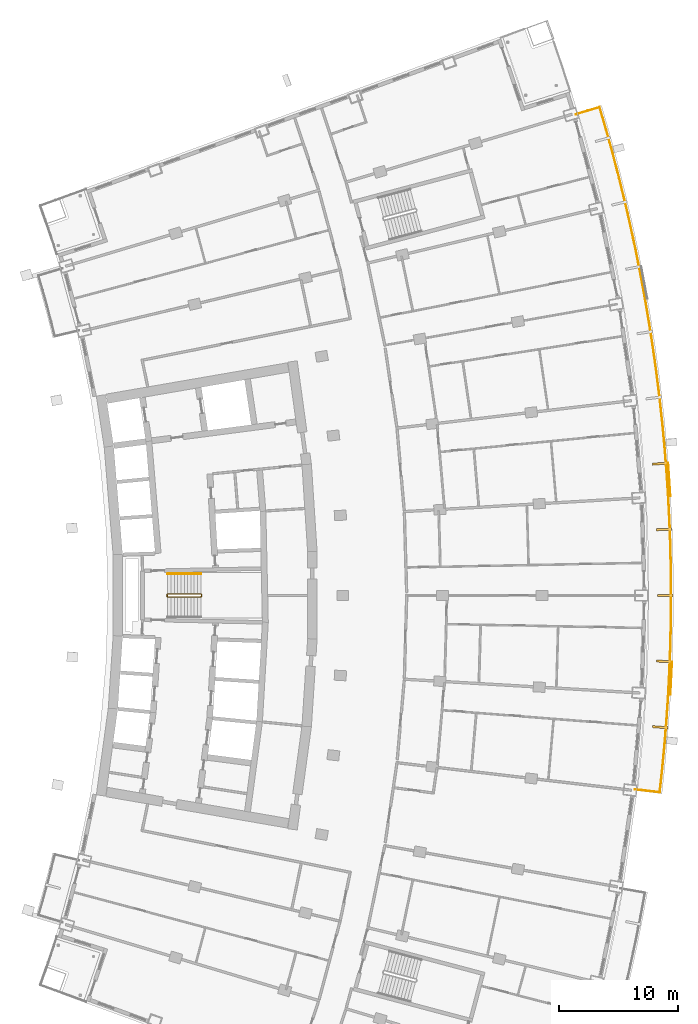
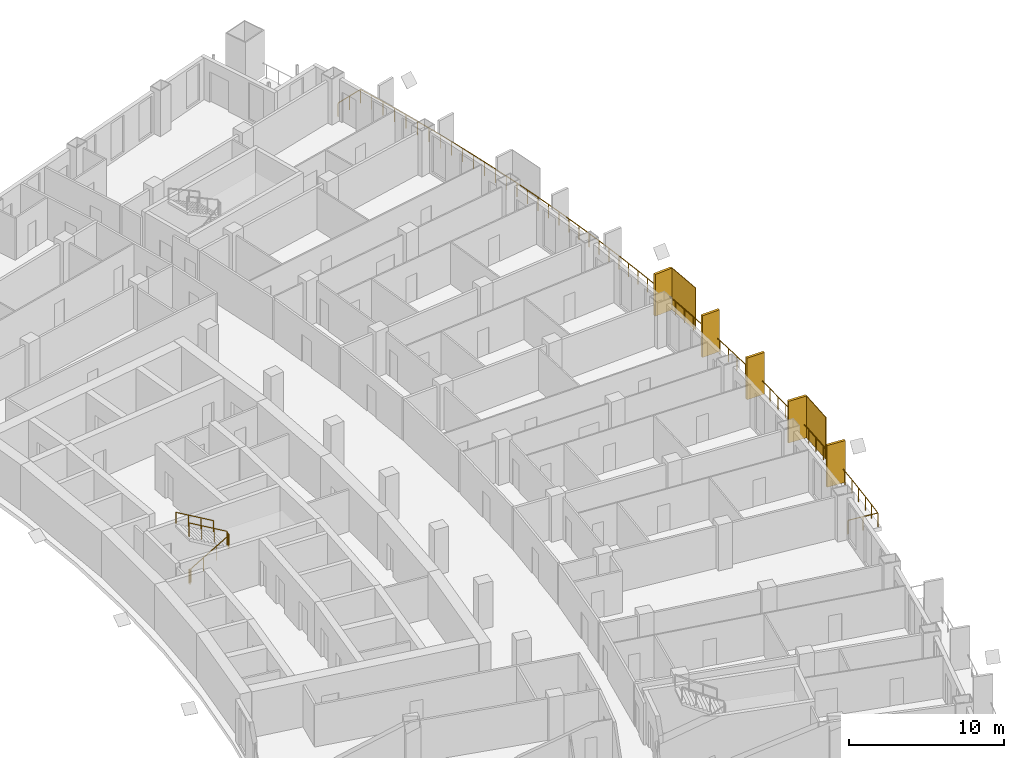
# One storey, part 24 of 25: 7 shading devices, 3 railings.
"""IFC4 building model written with IfcOpenShell, lengths in metres."""

from ifc_helpers import new_model, si_unit, direction, frame, origin, origin_2d, place, context, subcontext, project, spatial, rectangle, extrude, material, layer, layer_set, type_object, element, save


model = new_model("IFC4")

# Units and contexts
model_context = context("Model", 3, precision=1e-05, world=origin(), true_north=direction((0.0, 1.0)))
body_context = subcontext(model_context, "Body", "Model", "MODEL_VIEW")
ifc_project = project(units=[si_unit("LENGTHUNIT", "METRE"), si_unit("AREAUNIT", "SQUARE_METRE"), si_unit("VOLUMEUNIT", "CUBIC_METRE"), si_unit("PLANEANGLEUNIT", "RADIAN"), si_unit("MASSUNIT", "GRAM", prefix="KILO")], contexts=[model_context])

# Site, building, storey
site_placement = place(None, origin())
site = spatial("IfcSite", under=ifc_project, at=site_placement, CompositionType="ELEMENT")
building_placement = place(site_placement, origin())
building = spatial("IfcBuilding", under=site, at=building_placement, Name="Alderwake Tower", CompositionType="ELEMENT")
storey_placement = place(building_placement, frame((0.0, 0.0, 111.199951171875)))
storey = spatial("IfcBuildingStorey", under=building, at=storey_placement, Name="L27", CompositionType="ELEMENT", Elevation=111.199951171875)

# Railing
ifc_material_1 = material(Name="Stainless steel 316 rail and posts", Category="steel")
railing_type_1 = type_object("IfcRailingType", Name="Balcony guard 1100", PredefinedType="GUARDRAIL", material=ifc_material_1)
railing_1_placement = place(storey_placement, frame((60.4501953125, 44.638671875, 0.0)))
element("IfcRailing", 1, at=railing_1_placement, inside=storey, type_object=railing_type_1, Name="Guard BF05", PredefinedType="GUARDRAIL", context=body_context, shape_type="SweptSolid", body=[
    extrude(rectangle(XDim=0.048095703125, YDim=0.048095703125, at=origin_2d()), frame((0.0, 0.0, 1.076171875), z_axis=(0.993273839517, -0.115788944775, 0.0), x_axis=(0.115788944775, 0.993273839517, 0.0)), (0.0, 0.0, 1.0), 2.10009765625),
    extrude(rectangle(XDim=0.048095703125, YDim=0.048095703125, at=origin_2d()), frame((2.0859375, -0.2431640625, 1.076171875), z_axis=(0.108790906311, 0.994064655193, 0.0), x_axis=(-0.994064655193, 0.108790906311, 0.0)), (0.0, 0.0, 1.0), 1.99267578125),
    extrude(rectangle(XDim=0.048095703125, YDim=0.048095703125, at=origin_2d()), frame((2.302734375, 1.73779296875, 1.076171875), z_axis=(0.094616394776, 0.995513805951, 0.0), x_axis=(-0.995513805951, 0.094616394776, 0.0)), (0.0, 0.0, 1.0), 2.092529296875),
    extrude(rectangle(XDim=0.048095703125, YDim=0.048095703125, at=origin_2d()), frame((2.500732421875, 3.821044921875, 1.076171875), z_axis=(0.080148626966, 0.996782924009, 0.0), x_axis=(-0.996782924009, 0.080148626966, 0.0)), (0.0, 0.0, 1.0), 2.0927734375),
    extrude(rectangle(XDim=0.048095703125, YDim=0.048095703125, at=origin_2d()), frame((2.66845703125, 5.906982421875, 1.076171875), z_axis=(0.06556654831, 0.997848198747, 0.0), x_axis=(-0.997848198747, 0.06556654831, 0.0)), (0.0, 0.0, 1.0), 2.092529296875),
    extrude(rectangle(XDim=0.048095703125, YDim=0.048095703125, at=origin_2d()), frame((2.8056640625, 7.9951171875, 1.076171875), z_axis=(0.051095418046, 0.998693776017, 0.0), x_axis=(-0.998693776017, 0.051095418046, 0.0)), (0.0, 0.0, 1.0), 2.0927734375),
    extrude(rectangle(XDim=0.048095703125, YDim=0.048095703125, at=origin_2d()), frame((2.91259765625, 10.085205078125, 1.076171875), z_axis=(0.036398931808, 0.999337339322, 0.0), x_axis=(-0.999337339322, 0.036398931808, 0.0)), (0.0, 0.0, 1.0), 2.0927734375),
    extrude(rectangle(XDim=0.048095703125, YDim=0.048095703125, at=origin_2d()), frame((2.98876953125, 12.176513671875, 1.076171875), z_axis=(0.021815110635, 0.999762022157, 0.0), x_axis=(-0.999762022157, 0.021815110635, 0.0)), (0.0, 0.0, 1.0), 2.0927734375),
    extrude(rectangle(XDim=0.048095703125, YDim=0.048095703125, at=origin_2d()), frame((3.034423828125, 14.268798828125, 1.076171875), z_axis=(0.007350168964, 0.999972987143, 0.0), x_axis=(-0.999972987143, 0.007350168964, 0.0)), (0.0, 0.0, 1.0), 2.092529296875),
    extrude(rectangle(XDim=0.048095703125, YDim=0.048095703125, at=origin_2d()), frame((3.0498046875, 16.361328125, 1.076171875), z_axis=(-0.007350168964, 0.999972987143, 0.0), x_axis=(-0.999972987143, -0.007350168964, 0.0)), (0.0, 0.0, 1.0), 2.092529296875),
    extrude(rectangle(XDim=0.048095703125, YDim=0.048095703125, at=origin_2d()), frame((3.034423828125, 18.453857421875, 1.076171875), z_axis=(-0.021815110635, 0.999762022157, 0.0), x_axis=(-0.999762022157, -0.021815110635, 0.0)), (0.0, 0.0, 1.0), 2.0927734375),
    extrude(rectangle(XDim=0.048095703125, YDim=0.048095703125, at=origin_2d()), frame((2.98876953125, 20.546142578125, 1.076171875), z_axis=(-0.036398931808, 0.999337339322, 0.0), x_axis=(-0.999337339322, -0.036398931808, 0.0)), (0.0, 0.0, 1.0), 2.0927734375),
    extrude(rectangle(XDim=0.048095703125, YDim=0.048095703125, at=origin_2d()), frame((2.91259765625, 22.637451171875, 1.076171875), z_axis=(-0.051095418046, 0.998693776017, 0.0), x_axis=(-0.998693776017, -0.051095418046, 0.0)), (0.0, 0.0, 1.0), 2.0927734375),
    extrude(rectangle(XDim=0.048095703125, YDim=0.048095703125, at=origin_2d()), frame((2.8056640625, 24.7275390625, 1.076171875), z_axis=(-0.06556654831, 0.997848198747, 0.0), x_axis=(-0.997848198747, -0.06556654831, 0.0)), (0.0, 0.0, 1.0), 2.092529296875),
    extrude(rectangle(XDim=0.048095703125, YDim=0.048095703125, at=origin_2d()), frame((2.66845703125, 26.815673828125, 1.076171875), z_axis=(-0.080148626966, 0.996782924009, 0.0), x_axis=(-0.996782924009, -0.080148626966, 0.0)), (0.0, 0.0, 1.0), 2.0927734375),
    extrude(rectangle(XDim=0.048095703125, YDim=0.048095703125, at=origin_2d()), frame((2.500732421875, 28.901611328125, 1.076171875), z_axis=(-0.094616394776, 0.995513805951, 0.0), x_axis=(-0.995513805951, -0.094616394776, 0.0)), (0.0, 0.0, 1.0), 2.092529296875),
    extrude(rectangle(XDim=0.048095703125, YDim=0.048095703125, at=origin_2d()), frame((2.302734375, 30.98486328125, 1.076171875), z_axis=(-0.109202149119, 0.994019562497, 0.0), x_axis=(-0.994019562497, -0.109202149119, 0.0)), (0.0, 0.0, 1.0), 2.092529296875),
    extrude(rectangle(XDim=0.048095703125, YDim=0.048095703125, at=origin_2d()), frame((2.07421875, 33.06494140625, 1.076171875), z_axis=(-0.123546528168, 0.992338780547, 0.0), x_axis=(-0.992338780547, -0.123546528168, 0.0)), (0.0, 0.0, 1.0), 2.0927734375),
    extrude(rectangle(XDim=0.048095703125, YDim=0.048095703125, at=origin_2d()), frame((1.815673828125, 35.1416015625, 1.076171875), z_axis=(-0.138121519768, 0.990415289551, 0.0), x_axis=(-0.990415289551, -0.138121519768, 0.0)), (0.0, 0.0, 1.0), 2.0927734375),
    extrude(rectangle(XDim=0.048095703125, YDim=0.048095703125, at=origin_2d()), frame((1.526611328125, 37.21435546875, 1.076171875), z_axis=(-0.15248675564, 0.988305514178, 0.0), x_axis=(-0.988305514178, -0.15248675564, 0.0)), (0.0, 0.0, 1.0), 2.092529296875),
    extrude(rectangle(XDim=0.048095703125, YDim=0.048095703125, at=origin_2d()), frame((1.20751953125, 39.282470703125, 1.076171875), z_axis=(-0.166933326396, 0.985968186372, 0.0), x_axis=(-0.985968186372, -0.166933326396, 0.0)), (0.0, 0.0, 1.0), 2.0927734375),
    extrude(rectangle(XDim=0.048095703125, YDim=0.048095703125, at=origin_2d()), frame((0.858154296875, 41.345947265625, 1.076171875), z_axis=(-0.18130793509, 0.983426373794, 0.0), x_axis=(-0.983426373794, -0.18130793509, 0.0)), (0.0, 0.0, 1.0), 2.092529296875),
    extrude(rectangle(XDim=0.048095703125, YDim=0.048095703125, at=origin_2d()), frame((0.478759765625, 43.40380859375, 1.076171875), z_axis=(-0.195644970766, 0.980674790853, 0.0), x_axis=(-0.980674790853, -0.195644970766, 0.0)), (0.0, 0.0, 1.0), 2.0927734375),
    extrude(rectangle(XDim=0.048095703125, YDim=0.048095703125, at=origin_2d()), frame((0.0693359375, 45.4560546875, 1.076171875), z_axis=(-0.209871658439, 0.977728943513, 0.0), x_axis=(-0.977728943513, -0.209871658439, 0.0)), (0.0, 0.0, 1.0), 2.0927734375),
    extrude(rectangle(XDim=0.048095703125, YDim=0.048095703125, at=origin_2d()), frame((-0.369873046875, 47.502197265625, 1.076171875), z_axis=(-0.224101157754, 0.974565888534, 0.0), x_axis=(-0.974565888534, -0.224101157754, 0.0)), (0.0, 0.0, 1.0), 2.0927734375),
    extrude(rectangle(XDim=0.048095703125, YDim=0.048095703125, at=origin_2d()), frame((-0.8388671875, 49.541748046875, 1.076171875), z_axis=(-0.238360646186, 0.971176710156, 0.0), x_axis=(-0.971176710156, -0.238360646186, 0.0)), (0.0, 0.0, 1.0), 2.092529296875),
    extrude(rectangle(XDim=0.048095703125, YDim=0.048095703125, at=origin_2d()), frame((-1.337646484375, 51.573974609375, 1.076171875), z_axis=(-0.252459890033, 0.967607360413, 0.0), x_axis=(-0.967607360413, -0.252459890033, 0.0)), (0.0, 0.0, 1.0), 2.0927734375),
    extrude(rectangle(XDim=0.048095703125, YDim=0.048095703125, at=origin_2d()), frame((-1.865966796875, 53.598876953125, 1.076171875), z_axis=(-0.266452319336, 0.963848100854, 0.0), x_axis=(-0.963848100854, -0.266452319336, 0.0)), (0.0, 0.0, 1.0), 2.0927734375),
    extrude(rectangle(XDim=0.048095703125, YDim=0.048095703125, at=origin_2d()), frame((-2.423583984375, 55.615966796875, 1.076171875), z_axis=(-0.28031519248, 0.95990801271, 0.0), x_axis=(-0.95990801271, -0.28031519248, 0.0)), (0.0, 0.0, 1.0), 1.99267578125),
    extrude(rectangle(XDim=0.048095703125, YDim=0.048095703125, at=origin_2d()), frame((-2.982177734375, 57.52880859375, 1.076171875), z_axis=(-0.957954179098, -0.286921227429, 0.0), x_axis=(0.286921227429, -0.957954179098, 0.0)), (0.0, 0.0, 1.0), 2.10009765625),
    extrude(rectangle(XDim=0.0419921875, YDim=0.0419921875, at=origin_2d()), frame((0.0, 0.0, 0.0), z_axis=(0.0, 0.0, 1.0), x_axis=(0.993273839517, -0.115788944775, 0.0)), (0.0, 0.0, 1.0), 1.052001953125),
    extrude(rectangle(XDim=0.0419921875, YDim=0.0419921875, at=origin_2d()), frame((1.04296875, -0.12158203125, 0.0), z_axis=(0.0, 0.0, 1.0), x_axis=(0.993273839517, -0.115788944775, 0.0)), (0.0, 0.0, 1.0), 1.052001953125),
    extrude(rectangle(XDim=0.0419921875, YDim=0.0419921875, at=origin_2d()), frame((2.0859375, -0.2431640625, 0.0), z_axis=(0.0, 0.0, 1.0), x_axis=(0.108790906311, 0.994064655193, 0.0)), (0.0, 0.0, 1.0), 1.052001953125),
    extrude(rectangle(XDim=0.0419921875, YDim=0.0419921875, at=origin_2d()), frame((2.1943359375, 0.747314453125, 0.0), z_axis=(0.0, 0.0, 1.0), x_axis=(0.108790906311, 0.994064655193, 0.0)), (0.0, 0.0, 1.0), 1.052001953125),
    extrude(rectangle(XDim=0.0419921875, YDim=0.0419921875, at=origin_2d()), frame((2.302734375, 1.73779296875, 0.0), z_axis=(0.0, 0.0, 1.0), x_axis=(0.094616394776, 0.995513805951, 0.0)), (0.0, 0.0, 1.0), 1.052001953125),
    extrude(rectangle(XDim=0.0419921875, YDim=0.0419921875, at=origin_2d()), frame((2.40185546875, 2.779296875, 0.0), z_axis=(0.0, 0.0, 1.0), x_axis=(0.094616394776, 0.995513805951, 0.0)), (0.0, 0.0, 1.0), 1.052001953125),
    extrude(rectangle(XDim=0.0419921875, YDim=0.0419921875, at=origin_2d()), frame((2.500732421875, 3.821044921875, 0.0), z_axis=(0.0, 0.0, 1.0), x_axis=(0.080148626966, 0.996782924009, 0.0)), (0.0, 0.0, 1.0), 1.052001953125),
    extrude(rectangle(XDim=0.0419921875, YDim=0.0419921875, at=origin_2d()), frame((2.58447265625, 4.864013671875, 0.0), z_axis=(0.0, 0.0, 1.0), x_axis=(0.080148626966, 0.996782924009, 0.0)), (0.0, 0.0, 1.0), 1.052001953125),
    extrude(rectangle(XDim=0.0419921875, YDim=0.0419921875, at=origin_2d()), frame((2.66845703125, 5.906982421875, 0.0), z_axis=(0.0, 0.0, 1.0), x_axis=(0.06556654831, 0.997848198747, 0.0)), (0.0, 0.0, 1.0), 1.052001953125),
    extrude(rectangle(XDim=0.0419921875, YDim=0.0419921875, at=origin_2d()), frame((2.737060546875, 6.951171875, 0.0), z_axis=(0.0, 0.0, 1.0), x_axis=(0.06556654831, 0.997848198747, 0.0)), (0.0, 0.0, 1.0), 1.052001953125),
    extrude(rectangle(XDim=0.0419921875, YDim=0.0419921875, at=origin_2d()), frame((2.8056640625, 7.9951171875, 0.0), z_axis=(0.0, 0.0, 1.0), x_axis=(0.051095418046, 0.998693776017, 0.0)), (0.0, 0.0, 1.0), 1.052001953125),
    extrude(rectangle(XDim=0.0419921875, YDim=0.0419921875, at=origin_2d()), frame((2.859130859375, 9.0400390625, 0.0), z_axis=(0.0, 0.0, 1.0), x_axis=(0.051095418046, 0.998693776017, 0.0)), (0.0, 0.0, 1.0), 1.052001953125),
    extrude(rectangle(XDim=0.0419921875, YDim=0.0419921875, at=origin_2d()), frame((2.91259765625, 10.085205078125, 0.0), z_axis=(0.0, 0.0, 1.0), x_axis=(0.036398931808, 0.999337339322, 0.0)), (0.0, 0.0, 1.0), 1.052001953125),
    extrude(rectangle(XDim=0.0419921875, YDim=0.0419921875, at=origin_2d()), frame((2.95068359375, 11.130859375, 0.0), z_axis=(0.0, 0.0, 1.0), x_axis=(0.036398931808, 0.999337339322, 0.0)), (0.0, 0.0, 1.0), 1.052001953125),
    extrude(rectangle(XDim=0.0419921875, YDim=0.0419921875, at=origin_2d()), frame((2.98876953125, 12.176513671875, 0.0), z_axis=(0.0, 0.0, 1.0), x_axis=(0.021815110635, 0.999762022157, 0.0)), (0.0, 0.0, 1.0), 1.052001953125),
    extrude(rectangle(XDim=0.0419921875, YDim=0.0419921875, at=origin_2d()), frame((3.01171875, 13.22265625, 0.0), z_axis=(0.0, 0.0, 1.0), x_axis=(0.021815110635, 0.999762022157, 0.0)), (0.0, 0.0, 1.0), 1.052001953125),
    extrude(rectangle(XDim=0.0419921875, YDim=0.0419921875, at=origin_2d()), frame((3.034423828125, 14.268798828125, 0.0), z_axis=(0.0, 0.0, 1.0), x_axis=(0.007350168964, 0.999972987143, 0.0)), (0.0, 0.0, 1.0), 1.052001953125),
    extrude(rectangle(XDim=0.0419921875, YDim=0.0419921875, at=origin_2d()), frame((3.0419921875, 15.31494140625, 0.0), z_axis=(0.0, 0.0, 1.0), x_axis=(0.007350168964, 0.999972987143, 0.0)), (0.0, 0.0, 1.0), 1.052001953125),
    extrude(rectangle(XDim=0.0419921875, YDim=0.0419921875, at=origin_2d()), frame((3.0498046875, 16.361328125, 0.0), z_axis=(0.0, 0.0, 1.0), x_axis=(-0.007350168964, 0.999972987143, 0.0)), (0.0, 0.0, 1.0), 1.052001953125),
    extrude(rectangle(XDim=0.0419921875, YDim=0.0419921875, at=origin_2d()), frame((3.0419921875, 17.40771484375, 0.0), z_axis=(0.0, 0.0, 1.0), x_axis=(-0.007350168964, 0.999972987143, 0.0)), (0.0, 0.0, 1.0), 1.052001953125),
    extrude(rectangle(XDim=0.0419921875, YDim=0.0419921875, at=origin_2d()), frame((3.034423828125, 18.453857421875, 0.0), z_axis=(0.0, 0.0, 1.0), x_axis=(-0.021815110635, 0.999762022157, 0.0)), (0.0, 0.0, 1.0), 1.052001953125),
    extrude(rectangle(XDim=0.0419921875, YDim=0.0419921875, at=origin_2d()), frame((3.01171875, 19.5, 0.0), z_axis=(0.0, 0.0, 1.0), x_axis=(-0.021815110635, 0.999762022157, 0.0)), (0.0, 0.0, 1.0), 1.052001953125),
    extrude(rectangle(XDim=0.0419921875, YDim=0.0419921875, at=origin_2d()), frame((2.98876953125, 20.546142578125, 0.0), z_axis=(0.0, 0.0, 1.0), x_axis=(-0.036398931808, 0.999337339322, 0.0)), (0.0, 0.0, 1.0), 1.052001953125),
    extrude(rectangle(XDim=0.0419921875, YDim=0.0419921875, at=origin_2d()), frame((2.95068359375, 21.591796875, 0.0), z_axis=(0.0, 0.0, 1.0), x_axis=(-0.036398931808, 0.999337339322, 0.0)), (0.0, 0.0, 1.0), 1.052001953125),
    extrude(rectangle(XDim=0.0419921875, YDim=0.0419921875, at=origin_2d()), frame((2.91259765625, 22.637451171875, 0.0), z_axis=(0.0, 0.0, 1.0), x_axis=(-0.051095418046, 0.998693776017, 0.0)), (0.0, 0.0, 1.0), 1.052001953125),
    extrude(rectangle(XDim=0.0419921875, YDim=0.0419921875, at=origin_2d()), frame((2.859130859375, 23.6826171875, 0.0), z_axis=(0.0, 0.0, 1.0), x_axis=(-0.051095418046, 0.998693776017, 0.0)), (0.0, 0.0, 1.0), 1.052001953125),
    extrude(rectangle(XDim=0.0419921875, YDim=0.0419921875, at=origin_2d()), frame((2.8056640625, 24.7275390625, 0.0), z_axis=(0.0, 0.0, 1.0), x_axis=(-0.06556654831, 0.997848198747, 0.0)), (0.0, 0.0, 1.0), 1.052001953125),
    extrude(rectangle(XDim=0.0419921875, YDim=0.0419921875, at=origin_2d()), frame((2.737060546875, 25.771484375, 0.0), z_axis=(0.0, 0.0, 1.0), x_axis=(-0.06556654831, 0.997848198747, 0.0)), (0.0, 0.0, 1.0), 1.052001953125),
    extrude(rectangle(XDim=0.0419921875, YDim=0.0419921875, at=origin_2d()), frame((2.66845703125, 26.815673828125, 0.0), z_axis=(0.0, 0.0, 1.0), x_axis=(-0.080148626966, 0.996782924009, 0.0)), (0.0, 0.0, 1.0), 1.052001953125),
    extrude(rectangle(XDim=0.0419921875, YDim=0.0419921875, at=origin_2d()), frame((2.58447265625, 27.858642578125, 0.0), z_axis=(0.0, 0.0, 1.0), x_axis=(-0.080148626966, 0.996782924009, 0.0)), (0.0, 0.0, 1.0), 1.052001953125),
    extrude(rectangle(XDim=0.0419921875, YDim=0.0419921875, at=origin_2d()), frame((2.500732421875, 28.901611328125, 0.0), z_axis=(0.0, 0.0, 1.0), x_axis=(-0.094616394776, 0.995513805951, 0.0)), (0.0, 0.0, 1.0), 1.052001953125),
    extrude(rectangle(XDim=0.0419921875, YDim=0.0419921875, at=origin_2d()), frame((2.40185546875, 29.943359375, 0.0), z_axis=(0.0, 0.0, 1.0), x_axis=(-0.094616394776, 0.995513805951, 0.0)), (0.0, 0.0, 1.0), 1.052001953125),
    extrude(rectangle(XDim=0.0419921875, YDim=0.0419921875, at=origin_2d()), frame((2.302734375, 30.98486328125, 0.0), z_axis=(0.0, 0.0, 1.0), x_axis=(-0.109202149119, 0.994019562497, 0.0)), (0.0, 0.0, 1.0), 1.052001953125),
    extrude(rectangle(XDim=0.0419921875, YDim=0.0419921875, at=origin_2d()), frame((2.1884765625, 32.02490234375, 0.0), z_axis=(0.0, 0.0, 1.0), x_axis=(-0.109202149119, 0.994019562497, 0.0)), (0.0, 0.0, 1.0), 1.052001953125),
    extrude(rectangle(XDim=0.0419921875, YDim=0.0419921875, at=origin_2d()), frame((2.07421875, 33.06494140625, 0.0), z_axis=(0.0, 0.0, 1.0), x_axis=(-0.123546528168, 0.992338780547, 0.0)), (0.0, 0.0, 1.0), 1.052001953125),
    extrude(rectangle(XDim=0.0419921875, YDim=0.0419921875, at=origin_2d()), frame((1.94482421875, 34.103271484375, 0.0), z_axis=(0.0, 0.0, 1.0), x_axis=(-0.123546528168, 0.992338780547, 0.0)), (0.0, 0.0, 1.0), 1.052001953125),
    extrude(rectangle(XDim=0.0419921875, YDim=0.0419921875, at=origin_2d()), frame((1.815673828125, 35.1416015625, 0.0), z_axis=(0.0, 0.0, 1.0), x_axis=(-0.138121519768, 0.990415289551, 0.0)), (0.0, 0.0, 1.0), 1.052001953125),
    extrude(rectangle(XDim=0.0419921875, YDim=0.0419921875, at=origin_2d()), frame((1.671142578125, 36.177978515625, 0.0), z_axis=(0.0, 0.0, 1.0), x_axis=(-0.138121519768, 0.990415289551, 0.0)), (0.0, 0.0, 1.0), 1.052001953125),
    extrude(rectangle(XDim=0.0419921875, YDim=0.0419921875, at=origin_2d()), frame((1.526611328125, 37.21435546875, 0.0), z_axis=(0.0, 0.0, 1.0), x_axis=(-0.15248675564, 0.988305514178, 0.0)), (0.0, 0.0, 1.0), 1.052001953125),
    extrude(rectangle(XDim=0.0419921875, YDim=0.0419921875, at=origin_2d()), frame((1.3671875, 38.24853515625, 0.0), z_axis=(0.0, 0.0, 1.0), x_axis=(-0.15248675564, 0.988305514178, 0.0)), (0.0, 0.0, 1.0), 1.052001953125),
    extrude(rectangle(XDim=0.0419921875, YDim=0.0419921875, at=origin_2d()), frame((1.20751953125, 39.282470703125, 0.0), z_axis=(0.0, 0.0, 1.0), x_axis=(-0.166933326396, 0.985968186372, 0.0)), (0.0, 0.0, 1.0), 1.052001953125),
    extrude(rectangle(XDim=0.0419921875, YDim=0.0419921875, at=origin_2d()), frame((1.03271484375, 40.314208984375, 0.0), z_axis=(0.0, 0.0, 1.0), x_axis=(-0.166933326396, 0.985968186372, 0.0)), (0.0, 0.0, 1.0), 1.052001953125),
    extrude(rectangle(XDim=0.0419921875, YDim=0.0419921875, at=origin_2d()), frame((0.858154296875, 41.345947265625, 0.0), z_axis=(0.0, 0.0, 1.0), x_axis=(-0.18130793509, 0.983426373794, 0.0)), (0.0, 0.0, 1.0), 1.052001953125),
    extrude(rectangle(XDim=0.0419921875, YDim=0.0419921875, at=origin_2d()), frame((0.66845703125, 42.375, 0.0), z_axis=(0.0, 0.0, 1.0), x_axis=(-0.18130793509, 0.983426373794, 0.0)), (0.0, 0.0, 1.0), 1.052001953125),
    extrude(rectangle(XDim=0.0419921875, YDim=0.0419921875, at=origin_2d()), frame((0.478759765625, 43.40380859375, 0.0), z_axis=(0.0, 0.0, 1.0), x_axis=(-0.195644970766, 0.980674790853, 0.0)), (0.0, 0.0, 1.0), 1.052001953125),
    extrude(rectangle(XDim=0.0419921875, YDim=0.0419921875, at=origin_2d()), frame((0.27392578125, 44.429931640625, 0.0), z_axis=(0.0, 0.0, 1.0), x_axis=(-0.195644970766, 0.980674790853, 0.0)), (0.0, 0.0, 1.0), 1.052001953125),
    extrude(rectangle(XDim=0.0419921875, YDim=0.0419921875, at=origin_2d()), frame((0.0693359375, 45.4560546875, 0.0), z_axis=(0.0, 0.0, 1.0), x_axis=(-0.209871658439, 0.977728943513, 0.0)), (0.0, 0.0, 1.0), 1.052001953125),
    extrude(rectangle(XDim=0.0419921875, YDim=0.0419921875, at=origin_2d()), frame((-0.150390625, 46.47900390625, 0.0), z_axis=(0.0, 0.0, 1.0), x_axis=(-0.209871658439, 0.977728943513, 0.0)), (0.0, 0.0, 1.0), 1.052001953125),
    extrude(rectangle(XDim=0.0419921875, YDim=0.0419921875, at=origin_2d()), frame((-0.369873046875, 47.502197265625, 0.0), z_axis=(0.0, 0.0, 1.0), x_axis=(-0.224101157754, 0.974565888534, 0.0)), (0.0, 0.0, 1.0), 1.052001953125),
    extrude(rectangle(XDim=0.0419921875, YDim=0.0419921875, at=origin_2d()), frame((-0.6044921875, 48.52197265625, 0.0), z_axis=(0.0, 0.0, 1.0), x_axis=(-0.224101157754, 0.974565888534, 0.0)), (0.0, 0.0, 1.0), 1.052001953125),
    extrude(rectangle(XDim=0.0419921875, YDim=0.0419921875, at=origin_2d()), frame((-0.8388671875, 49.541748046875, 0.0), z_axis=(0.0, 0.0, 1.0), x_axis=(-0.238360646186, 0.971176710156, 0.0)), (0.0, 0.0, 1.0), 1.052001953125),
    extrude(rectangle(XDim=0.0419921875, YDim=0.0419921875, at=origin_2d()), frame((-1.08837890625, 50.557861328125, 0.0), z_axis=(0.0, 0.0, 1.0), x_axis=(-0.238360646186, 0.971176710156, 0.0)), (0.0, 0.0, 1.0), 1.052001953125),
    extrude(rectangle(XDim=0.0419921875, YDim=0.0419921875, at=origin_2d()), frame((-1.337646484375, 51.573974609375, 0.0), z_axis=(0.0, 0.0, 1.0), x_axis=(-0.252459890033, 0.967607360413, 0.0)), (0.0, 0.0, 1.0), 1.052001953125),
    extrude(rectangle(XDim=0.0419921875, YDim=0.0419921875, at=origin_2d()), frame((-1.601806640625, 52.58642578125, 0.0), z_axis=(0.0, 0.0, 1.0), x_axis=(-0.252459890033, 0.967607360413, 0.0)), (0.0, 0.0, 1.0), 1.052001953125),
    extrude(rectangle(XDim=0.0419921875, YDim=0.0419921875, at=origin_2d()), frame((-1.865966796875, 53.598876953125, 0.0), z_axis=(0.0, 0.0, 1.0), x_axis=(-0.266452319336, 0.963848100854, 0.0)), (0.0, 0.0, 1.0), 1.052001953125),
    extrude(rectangle(XDim=0.0419921875, YDim=0.0419921875, at=origin_2d()), frame((-2.144775390625, 54.607421875, 0.0), z_axis=(0.0, 0.0, 1.0), x_axis=(-0.266452319336, 0.963848100854, 0.0)), (0.0, 0.0, 1.0), 1.052001953125),
    extrude(rectangle(XDim=0.0419921875, YDim=0.0419921875, at=origin_2d()), frame((-2.423583984375, 55.615966796875, 0.0), z_axis=(0.0, 0.0, 1.0), x_axis=(-0.28031519248, 0.95990801271, 0.0)), (0.0, 0.0, 1.0), 1.052001953125),
    extrude(rectangle(XDim=0.0419921875, YDim=0.0419921875, at=origin_2d()), frame((-2.702880859375, 56.572265625, 0.0), z_axis=(0.0, 0.0, 1.0), x_axis=(-0.28031519248, 0.95990801271, 0.0)), (0.0, 0.0, 1.0), 1.052001953125),
    extrude(rectangle(XDim=0.0419921875, YDim=0.0419921875, at=origin_2d()), frame((-2.982177734375, 57.52880859375, 0.0), z_axis=(0.0, 0.0, 1.0), x_axis=(-0.957954179098, -0.286921227429, 0.0)), (0.0, 0.0, 1.0), 1.052001953125),
    extrude(rectangle(XDim=0.0419921875, YDim=0.0419921875, at=origin_2d()), frame((-3.988037109375, 57.2275390625, 0.0), z_axis=(0.0, 0.0, 1.0), x_axis=(-0.957954179098, -0.286921227429, 0.0)), (0.0, 0.0, 1.0), 1.052001953125),
    extrude(rectangle(XDim=0.0419921875, YDim=0.0419921875, at=origin_2d()), frame((-4.993896484375, 56.92626953125, 0.0), z_axis=(0.0, 0.0, 1.0), x_axis=(-0.957954179098, -0.286921227429, 0.0)), (0.0, 0.0, 1.0), 1.052001953125),
])

# Shading devices
ifc_material_2 = material(Name="Bronze anodised aluminium", Category="aluminium")
ifc_layer_1 = layer(ifc_material_2, 0.179931640625)
ifc_layer_set_1 = layer_set([ifc_layer_1], Name="Facade fin 1300")
shading_device_type_1 = type_object("IfcShadingDeviceType", Name="Facade fin 1300", PredefinedType="USERDEFINED", material=ifc_layer_set_1)
for number, where, z_axis, x_axis, name in (
    (2, (62.5673828125, 49.8857421875, 0.0), (0.0, 0.0, 1.0), (0.996975122026, -0.077721335943, 0.0), "Fin"),
    (3, (62.891845703125, 55.438720703125, 0.0), (0.0, 0.0, 1.0), (0.999243494356, -0.038890088543, 0.0), "Fin"),
    (4, (63.0, 61.0, 0.0), (0.0, 0.0, 1.0), (1.0, 0.0, 0.0), "Fin"),
    (5, (62.891845703125, 66.561279296875, 0.0), (0.0, 0.0, 1.0), (0.999243494356, 0.038890088543, 0.0), "Fin"),
    (6, (62.5673828125, 72.1142578125, 0.0), (0.0, 0.0, 1.0), (0.996975122026, 0.077721335943, 0.0), "Fin"),
):
    element("IfcShadingDevice", number, at=place(storey_placement, frame(where, z_axis=z_axis, x_axis=x_axis)), inside=storey, type_object=shading_device_type_1, Name=name, ObjectType="FIN", PredefinedType="USERDEFINED", context=body_context, shape_type="SweptSolid", body=[
        extrude(rectangle(XDim=1.300048828125, YDim=0.179931640625, at=origin_2d()), origin(), (0.0, 0.0, 1.0), 3.280029296875),
    ])
ifc_material_3 = material(Name="Perforated bronze anodised aluminium", Category="aluminium")
ifc_layer_2 = layer(ifc_material_3, 0.050048828125)
ifc_layer_set_2 = layer_set([ifc_layer_2], Name="Perforated screen panel")
shading_device_type_2 = type_object("IfcShadingDeviceType", Name="Perforated screen panel", PredefinedType="USERDEFINED", material=ifc_layer_set_2)
shading_device_1_placement = place(storey_placement, frame((63.49853515625, 54.0205078125, 0.0), z_axis=(0.0, 0.0, 1.0), x_axis=(0.998819231138, -0.048581308217, 0.0)))
element("IfcShadingDevice", 7, at=shading_device_1_placement, inside=storey, type_object=shading_device_type_2, Name="Screen panel", ObjectType="SCREEN", PredefinedType="USERDEFINED", context=body_context, shape_type="SweptSolid", body=[
    extrude(rectangle(XDim=0.050048828125, YDim=2.787353515625, at=origin_2d()), origin(), (0.0, 0.0, 1.0), 3.280029296875),
])
shading_device_2_placement = place(storey_placement, frame((63.335693359375, 70.76904296875, 0.0), z_axis=(0.0, 0.0, 1.0), x_axis=(0.997685465774, 0.067997877779, 0.0)))
element("IfcShadingDevice", 8, at=shading_device_2_placement, inside=storey, type_object=shading_device_type_2, Name="Screen panel", ObjectType="SCREEN", PredefinedType="USERDEFINED", context=body_context, shape_type="SweptSolid", body=[
    extrude(rectangle(XDim=0.050048828125, YDim=2.801513671875, at=origin_2d()), origin(), (0.0, 0.0, 1.0), 3.280029296875),
])

# Railings
ifc_material_4 = material(Name="Stainless steel guard", Category="steel")
railing_type_2 = type_object("IfcRailingType", Name="Stair guard 1100", PredefinedType="GUARDRAIL", material=ifc_material_4)
railing_2_placement = place(storey_placement, frame((20.989990234375, 60.925048828125, 0.0)))
element("IfcRailing", 9, at=railing_2_placement, inside=storey, type_object=railing_type_2, Name="L27 ST-B stair guard 1", PredefinedType="GUARDRAIL", context=body_context, shape_type="SweptSolid", body=[
    extrude(rectangle(XDim=0.048095703125, YDim=0.048095703125, at=origin_2d()), frame((0.0, 0.0, 1.076171875), z_axis=(0.0, 1.0, 0.0), x_axis=(-1.0, 0.0, 0.0)), (0.0, 0.0, 1.0), 0.14990234375),
    extrude(rectangle(XDim=0.048095703125, YDim=0.048095703125, at=origin_2d()), frame((0.0, 0.14990234375, 1.076171875), z_axis=(0.190199549216, -0.759870394187, 0.621627795), x_axis=(0.970072785993, 0.242814311512, 0.0)), (0.0, 0.0, 1.0), 0.26318359375),
    extrude(rectangle(XDim=0.048095703125, YDim=0.048095703125, at=origin_2d()), frame((0.050048828125, -0.050048828125, 1.23974609375), z_axis=(0.863360870873, 0.0, 0.504586966384), x_axis=(0.0, 1.0, 0.0)), (0.0, 0.0, 1.0), 3.2431640625),
    extrude(rectangle(XDim=0.048095703125, YDim=0.048095703125, at=origin_2d()), frame((2.85009765625, -0.050048828125, 2.8759765625), z_axis=(0.705375805398, 0.708833529934, 0.0), x_axis=(-0.708833529934, 0.705375805398, 0.0)), (0.0, 0.0, 1.0), 0.070556640625),
    extrude(rectangle(XDim=0.048095703125, YDim=0.048095703125, at=origin_2d()), frame((2.89990234375, 0.0, 2.8759765625), z_axis=(0.0, 1.0, 0.0), x_axis=(-1.0, 0.0, 0.0)), (0.0, 0.0, 1.0), 0.14990234375),
    extrude(rectangle(XDim=0.048095703125, YDim=0.048095703125, at=origin_2d()), frame((2.89990234375, 0.14990234375, 2.8759765625), z_axis=(-0.279546231943, 0.280916556609, 0.91811752648), x_axis=(-0.708833529934, -0.705375805398, 0.0)), (0.0, 0.0, 1.0), 0.17822265625),
    extrude(rectangle(XDim=0.048095703125, YDim=0.048095703125, at=origin_2d()), frame((2.85009765625, 0.199951171875, 3.03955078125), z_axis=(-0.863360870873, 0.0, 0.504586966384), x_axis=(0.0, -1.0, 0.0)), (0.0, 0.0, 1.0), 3.2431640625),
    extrude(rectangle(XDim=0.0419921875, YDim=0.0419921875, at=origin_2d()), frame((0.0, 0.0, 0.0), z_axis=(0.0, 0.0, 1.0), x_axis=(0.0, 1.0, 0.0)), (0.0, 0.0, 1.0), 1.052001953125),
    extrude(rectangle(XDim=0.0419921875, YDim=0.0419921875, at=origin_2d()), frame((0.0, 0.14990234375, 0.0), z_axis=(0.0, 0.0, 1.0), x_axis=(0.242814311512, -0.970072785993, 0.0)), (0.0, 0.0, 1.0), 1.052001953125),
    extrude(rectangle(XDim=0.0419921875, YDim=0.0419921875, at=origin_2d()), frame((0.050048828125, -0.050048828125, 0.16357421875), z_axis=(0.0, 0.0, 1.0), x_axis=(1.0, 0.0, 0.0)), (0.0, 0.0, 1.0), 1.052001953125),
    extrude(rectangle(XDim=0.0419921875, YDim=0.0419921875, at=origin_2d()), frame((0.9833984375, -0.050048828125, 0.708984375), z_axis=(0.0, 0.0, 1.0), x_axis=(1.0, 0.0, 0.0)), (0.0, 0.0, 1.0), 1.052001953125),
    extrude(rectangle(XDim=0.0419921875, YDim=0.0419921875, at=origin_2d()), frame((1.916748046875, -0.050048828125, 1.254638671875), z_axis=(0.0, 0.0, 1.0), x_axis=(1.0, 0.0, 0.0)), (0.0, 0.0, 1.0), 1.052001953125),
    extrude(rectangle(XDim=0.0419921875, YDim=0.0419921875, at=origin_2d()), frame((2.85009765625, -0.050048828125, 1.800048828125), z_axis=(0.0, 0.0, 1.0), x_axis=(0.705375805398, 0.708833529934, 0.0)), (0.0, 0.0, 1.0), 1.052001953125),
    extrude(rectangle(XDim=0.0419921875, YDim=0.0419921875, at=origin_2d()), frame((2.89990234375, 0.0, 1.800048828125), z_axis=(0.0, 0.0, 1.0), x_axis=(0.0, 1.0, 0.0)), (0.0, 0.0, 1.0), 1.052001953125),
    extrude(rectangle(XDim=0.0419921875, YDim=0.0419921875, at=origin_2d()), frame((2.89990234375, 0.14990234375, 1.800048828125), z_axis=(0.0, 0.0, 1.0), x_axis=(-0.705375805398, 0.708833529934, 0.0)), (0.0, 0.0, 1.0), 1.052001953125),
    extrude(rectangle(XDim=0.0419921875, YDim=0.0419921875, at=origin_2d()), frame((2.85009765625, 0.199951171875, 1.963623046875), z_axis=(0.0, 0.0, 1.0), x_axis=(-1.0, 0.0, 0.0)), (0.0, 0.0, 1.0), 1.052001953125),
    extrude(rectangle(XDim=0.0419921875, YDim=0.0419921875, at=origin_2d()), frame((1.916748046875, 0.199951171875, 2.509033203125), z_axis=(0.0, 0.0, 1.0), x_axis=(-1.0, 0.0, 0.0)), (0.0, 0.0, 1.0), 1.052001953125),
    extrude(rectangle(XDim=0.0419921875, YDim=0.0419921875, at=origin_2d()), frame((0.9833984375, 0.199951171875, 3.0546875), z_axis=(0.0, 0.0, 1.0), x_axis=(-1.0, 0.0, 0.0)), (0.0, 0.0, 1.0), 1.052001953125),
    extrude(rectangle(XDim=0.0419921875, YDim=0.0419921875, at=origin_2d()), frame((0.050048828125, 0.199951171875, 3.60009765625), z_axis=(0.0, 0.0, 1.0), x_axis=(-1.0, 0.0, 0.0)), (0.0, 0.0, 1.0), 1.052001953125),
])
ifc_material_5 = material(Name="Stainless steel handrail", Category="steel")
railing_type_3 = type_object("IfcRailingType", Name="Stair handrail 900", PredefinedType="HANDRAIL", material=ifc_material_5)
railing_3_placement = place(storey_placement, frame((23.840087890625, 62.824951171875, 1.963623046875)))
element("IfcRailing", 10, at=railing_3_placement, inside=storey, type_object=railing_type_3, Name="L27 ST-B stair handrail 2", PredefinedType="HANDRAIL", context=body_context, shape_type="SweptSolid", body=[
    extrude(rectangle(XDim=0.048095703125, YDim=0.048095703125, at=origin_2d()), frame((0.0, 0.0, 0.8759765625), z_axis=(-0.863360870873, 0.0, 0.504586966384), x_axis=(0.0, -1.0, 0.0)), (0.0, 0.0, 1.0), 3.2431640625),
    extrude(rectangle(XDim=0.0419921875, YDim=0.0419921875, at=origin_2d()), frame((0.0, 0.0, 0.0), z_axis=(0.0, 0.0, 1.0), x_axis=(-1.0, 0.0, 0.0)), (0.0, 0.0, 1.0), 0.851806640625),
    extrude(rectangle(XDim=0.0419921875, YDim=0.0419921875, at=origin_2d()), frame((-0.933349609375, 0.0, 0.54541015625), z_axis=(0.0, 0.0, 1.0), x_axis=(-1.0, 0.0, 0.0)), (0.0, 0.0, 1.0), 0.851806640625),
    extrude(rectangle(XDim=0.0419921875, YDim=0.0419921875, at=origin_2d()), frame((-1.86669921875, 0.0, 1.091064453125), z_axis=(0.0, 0.0, 1.0), x_axis=(-1.0, 0.0, 0.0)), (0.0, 0.0, 1.0), 0.851806640625),
    extrude(rectangle(XDim=0.0419921875, YDim=0.0419921875, at=origin_2d()), frame((-2.800048828125, 0.0, 1.636474609375), z_axis=(0.0, 0.0, 1.0), x_axis=(-1.0, 0.0, 0.0)), (0.0, 0.0, 1.0), 0.851806640625),
])

save(model, "model.ifc")
